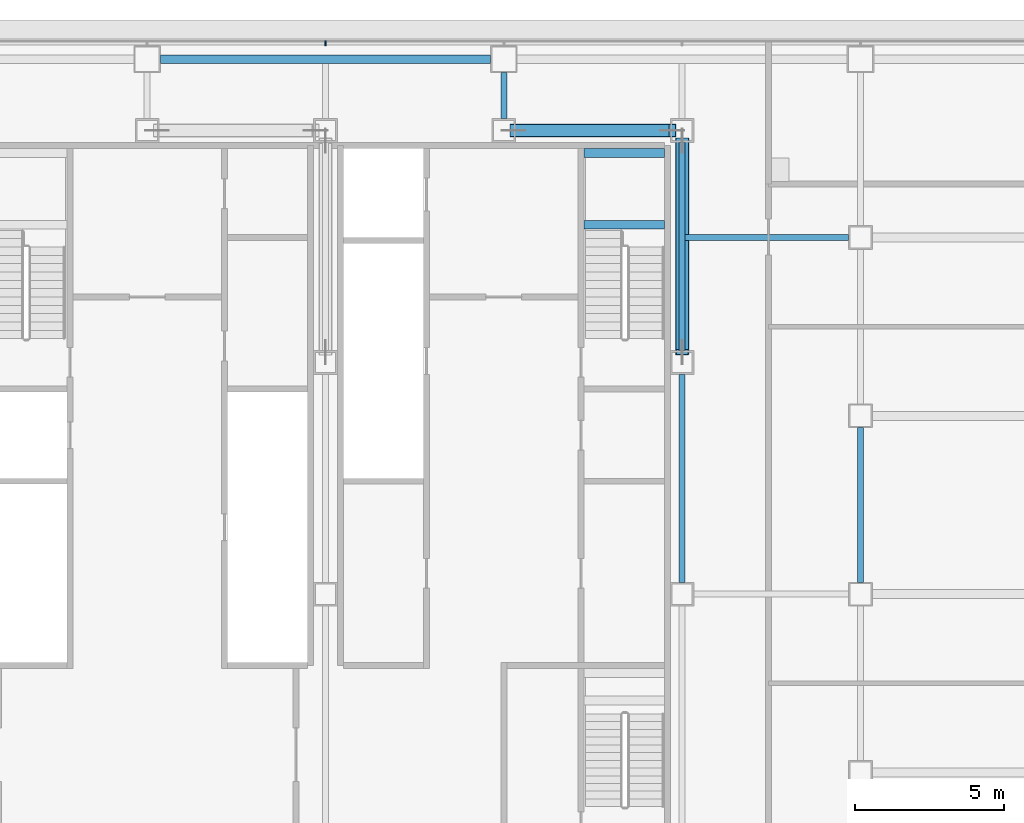
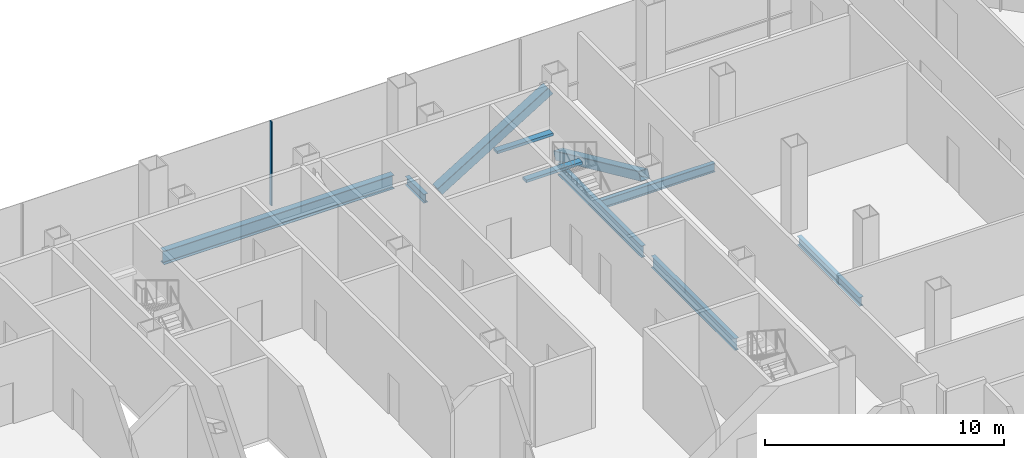
# One storey, part 13 of 27: 8 beams, 3 members, 1 element without a shape of its own.
"""IFC4 building model written with IfcOpenShell, lengths in metres."""

from ifc_helpers import new_model, si_unit, direction, frame, origin, origin_2d, place, context, subcontext, project, spatial, rectangle, hollow_rectangle, i_section, extrude, material, material_profile, profile_set, type_object, element, aggregate, save


model = new_model("IFC4")

# Units and contexts
model_context = context("Model", 3, precision=1e-05, world=origin(), true_north=direction((0.0, 1.0)))
body_context = subcontext(model_context, "Body", "Model", "MODEL_VIEW")
ifc_project = project(units=[si_unit("LENGTHUNIT", "METRE"), si_unit("AREAUNIT", "SQUARE_METRE"), si_unit("VOLUMEUNIT", "CUBIC_METRE"), si_unit("PLANEANGLEUNIT", "RADIAN"), si_unit("MASSUNIT", "GRAM", prefix="KILO")], contexts=[model_context])

# Site, building, storey
site_placement = place(None, origin())
site = spatial("IfcSite", under=ifc_project, at=site_placement, CompositionType="ELEMENT")
building_placement = place(site_placement, origin())
building = spatial("IfcBuilding", under=site, at=building_placement, Name="Sorahane Residences", CompositionType="ELEMENT")
storey_placement = place(building_placement, frame((0.0, 0.0, 85.800048828125)))
storey = spatial("IfcBuildingStorey", under=building, at=storey_placement, Name="L18", CompositionType="ELEMENT", Elevation=85.800048828125)

# Members
ifc_material_1 = material(Name="Steel Q355B", Category="steel")
ifc_material_profile_1 = material_profile(ifc_material_1, hollow_rectangle(XDim=0.449951171875, YDim=0.449951171875, WallThickness=0.02197265625, InnerFilletRadius=0.010986328125, OuterFilletRadius=0.032958984375, at=origin_2d()), Name="RHS 450x450x22")
ifc_profile_set_1 = profile_set([ifc_material_profile_1], Name="Steel Q355B")
member_type_1 = type_object("IfcMemberType", Name="Core brace RHS 450x450x22 Q355B", PredefinedType="BRACE", material=ifc_profile_set_1)
member_1_placement = place(storey_placement, frame((36.329345703125, 45.60009765625, 0.181396484375), z_axis=(0.851647624098, 0.0, 0.524114800752), x_axis=(0.0, 1.0, 0.0)))
element("IfcMember", 1, at=member_1_placement, inside=storey, type_object=member_type_1, Name="Core brace L18 y45.6-6", PredefinedType="BRACE", context=body_context, shape_type="SweptSolid", body=[
    extrude(hollow_rectangle(XDim=0.449951171875, YDim=0.449951171875, WallThickness=0.02197265625, InnerFilletRadius=0.010986328125, OuterFilletRadius=0.032958984375, at=origin_2d()), origin(), (0.0, 0.0, 1.0), 6.271728515625),
])
member_2_placement = place(storey_placement, frame((42.0, 45.256103515625, 0.19921875), z_axis=(0.0, -0.909468404566, 0.415773040368), x_axis=(1.0, 0.0, 0.0)))
element("IfcMember", 2, at=member_2_placement, inside=storey, type_object=member_type_1, Name="Core brace L18 x42-3", PredefinedType="BRACE", context=body_context, shape_type="SweptSolid", body=[
    extrude(hollow_rectangle(XDim=0.449951171875, YDim=0.449951171875, WallThickness=0.02197265625, InnerFilletRadius=0.010986328125, OuterFilletRadius=0.032958984375, at=origin_2d()), origin(), (0.0, 0.0, 1.0), 7.8203125),
])

# Curtain wall, member
ifc_material_2 = material(Name="Dark low-e glass and black anodised aluminium", Category="aluminium")
curtain_wall_type = type_object("IfcCurtainWallType", Name="Curtain wall CW-1 Typical unitised wall", PredefinedType="NOTDEFINED", material=ifc_material_2)
curtain_wall_placement = place(storey_placement, origin())
curtain_wall = element("IfcCurtainWall", 3, at=curtain_wall_placement, inside=storey, type_object=curtain_wall_type, Name="CW-1 curtain wall L18 N1", PredefinedType="NOTDEFINED")
ifc_material_3 = material(Name="Black anodised aluminium", Category="aluminium")
ifc_material_profile_2 = material_profile(ifc_material_3, rectangle(XDim=0.159912109375, YDim=0.050048828125, at=origin_2d()), Name="Curtain wall mullion CW-1 black anodised aluminium 50x160")
ifc_profile_set_2 = profile_set([ifc_material_profile_2], Name="Black anodised aluminium")
member_type_2 = type_object("IfcMemberType", Name="Curtain wall mullion CW-1 black anodised aluminium 50x160", PredefinedType="MULLION", material=ifc_profile_set_2)
member_3_placement = place(storey_placement, frame((30.0, 48.5400390625, -0.179931640625), z_axis=(0.0, 0.0, 1.0), x_axis=(0.0, 1.0, 0.0)))
member_3 = element("IfcMember", 4, at=member_3_placement, type_object=member_type_2, Name="CW-1 mullion L18 N1.6", PredefinedType="MULLION", context=body_context, shape_type="SweptSolid", body=[
    extrude(rectangle(XDim=0.159912109375, YDim=0.050048828125, at=origin_2d()), origin(), (0.0, 0.0, 1.0), 4.27978515625),
])
aggregate(curtain_wall, [member_3])

# Beams
ifc_material_4 = material(Name="Concrete C40", Category="concrete")
ifc_material_profile_3 = material_profile(ifc_material_4, rectangle(XDim=0.300048828125, YDim=0.139892578125, at=origin_2d()), Name="300x140")
ifc_profile_set_3 = profile_set([ifc_material_profile_3], Name="Concrete C40")
beam_type_1 = type_object("IfcBeamType", Name="RC landing beam 300 x 140 Concrete C40", PredefinedType="BEAM", material=ifc_profile_set_3)
for number, where, z_axis, x_axis, name in (
    (5, (38.699951171875, 42.429931640625, 1.7607421875), (1.0, 0.0, 0.0), (0.0, 1.0, 0.0), "Landing beam"),
    (6, (38.699951171875, 44.85009765625, 1.7607421875), (1.0, 0.0, 0.0), (0.0, 1.0, 0.0), "Landing beam"),
):
    element("IfcBeam", number, at=place(storey_placement, frame(where, z_axis=z_axis, x_axis=x_axis)), inside=storey, type_object=beam_type_1, Name=name, PredefinedType="BEAM", context=body_context, shape_type="SweptSolid", body=[
        extrude(rectangle(XDim=0.300048828125, YDim=0.139892578125, at=origin_2d()), origin(), (0.0, 0.0, 1.0), 2.699951171875),
    ])
ifc_material_5 = material(Name="Steel Q355B", Category="steel")
ifc_material_profile_4 = material_profile(ifc_material_5, i_section(OverallWidth=0.199951171875, OverallDepth=0.449951171875, WebThickness=0.009033203125, FlangeThickness=0.013916015625, FilletRadius=0.02001953125, at=origin_2d()), Name="HN 450x200x9x14")
ifc_profile_set_4 = profile_set([ifc_material_profile_4], Name="Steel Q355B")
beam_type_2 = type_object("IfcBeamType", Name="Steel floor beam HN 450x200x9x14 Q355B", PredefinedType="BEAM", material=ifc_profile_set_4)
beam_1_placement = place(storey_placement, frame((36.0, 46.0, -0.405029296875), z_axis=(0.0, 1.0, 0.0), x_axis=(-1.0, 0.0, 0.0)))
element("IfcBeam", 7, at=beam_1_placement, inside=storey, type_object=beam_type_2, Name="Beam L18 044", PredefinedType="BEAM", context=body_context, shape_type="SweptSolid", body=[
    extrude(i_section(OverallWidth=0.199951171875, OverallDepth=0.449951171875, WebThickness=0.009033203125, FlangeThickness=0.013916015625, FilletRadius=0.02001953125, at=origin_2d()), origin(), (0.0, 0.0, 1.0), 1.550048828125),
])
beam_2_placement = place(storey_placement, frame((48.0, 30.39990234375, -0.405029296875), z_axis=(0.0, 1.0, 0.0), x_axis=(-1.0, 0.0, 0.0)))
element("IfcBeam", 8, at=beam_2_placement, inside=storey, type_object=beam_type_2, Name="Beam L18 054", PredefinedType="BEAM", context=body_context, shape_type="SweptSolid", body=[
    extrude(i_section(OverallWidth=0.199951171875, OverallDepth=0.449951171875, WebThickness=0.009033203125, FlangeThickness=0.013916015625, FilletRadius=0.02001953125, at=origin_2d()), origin(), (0.0, 0.0, 1.0), 5.2001953125),
])
beam_3_placement = place(storey_placement, frame((42.10009765625, 42.0, -0.405029296875), z_axis=(1.0, 0.0, 0.0), x_axis=(0.0, 1.0, 0.0)))
element("IfcBeam", 9, at=beam_3_placement, inside=storey, type_object=beam_type_2, Name="Beam L18 080", PredefinedType="BEAM", context=body_context, shape_type="SweptSolid", body=[
    extrude(i_section(OverallWidth=0.199951171875, OverallDepth=0.449951171875, WebThickness=0.009033203125, FlangeThickness=0.013916015625, FilletRadius=0.02001953125, at=origin_2d()), origin(), (0.0, 0.0, 1.0), 5.5),
])
ifc_material_6 = material(Name="Steel Q355B", Category="steel")
ifc_material_profile_5 = material_profile(ifc_material_6, i_section(OverallWidth=0.199951171875, OverallDepth=0.60009765625, WebThickness=0.010986328125, FlangeThickness=0.01708984375, FilletRadius=0.02392578125, at=origin_2d()), Name="HN 600x200x11x17")
ifc_profile_set_5 = profile_set([ifc_material_profile_5], Name="Steel Q355B")
beam_type_3 = type_object("IfcBeamType", Name="Steel floor beam HN 600x200x11x17 Q355B", PredefinedType="BEAM", material=ifc_profile_set_5)
for number, where, z_axis, x_axis, name in (
    (10, (42.0, 30.39990234375, -0.47998046875), (0.0, 1.0, 0.0), (-1.0, 0.0, 0.0), "Beam L18 048"),
    (11, (42.0, 38.199951171875, -0.47998046875), (0.0, 1.0, 0.0), (-1.0, 0.0, 0.0), "Beam L18 049"),
):
    element("IfcBeam", number, at=place(storey_placement, frame(where, z_axis=z_axis, x_axis=x_axis)), inside=storey, type_object=beam_type_3, Name=name, PredefinedType="BEAM", context=body_context, shape_type="SweptSolid", body=[
        extrude(i_section(OverallWidth=0.199951171875, OverallDepth=0.60009765625, WebThickness=0.010986328125, FlangeThickness=0.01708984375, FilletRadius=0.02392578125, at=origin_2d()), origin(), (0.0, 0.0, 1.0), 7.0),
    ])
ifc_material_7 = material(Name="Steel Q355B", Category="steel")
ifc_material_profile_6 = material_profile(ifc_material_7, i_section(OverallWidth=0.300048828125, OverallDepth=0.699951171875, WebThickness=0.012939453125, FlangeThickness=0.02392578125, FilletRadius=0.028076171875, at=origin_2d()), Name="HN 700x300x13x24")
ifc_profile_set_6 = profile_set([ifc_material_profile_6], Name="Steel Q355B")
beam_type_4 = type_object("IfcBeamType", Name="Steel floor beam HN 700x300x13x24 Q355B", PredefinedType="BEAM", material=ifc_profile_set_6)
beam_4_placement = place(storey_placement, frame((24.449951171875, 48.0, -0.530029296875), z_axis=(1.0, 0.0, 0.0), x_axis=(0.0, 1.0, 0.0)))
element("IfcBeam", 12, at=beam_4_placement, inside=storey, type_object=beam_type_4, Name="Beam L18 014", PredefinedType="BEAM", context=body_context, shape_type="SweptSolid", body=[
    extrude(i_section(OverallWidth=0.300048828125, OverallDepth=0.699951171875, WebThickness=0.012939453125, FlangeThickness=0.02392578125, FilletRadius=0.028076171875, at=origin_2d()), origin(), (0.0, 0.0, 1.0), 11.10009765625),
])

save(model, "model.ifc")
